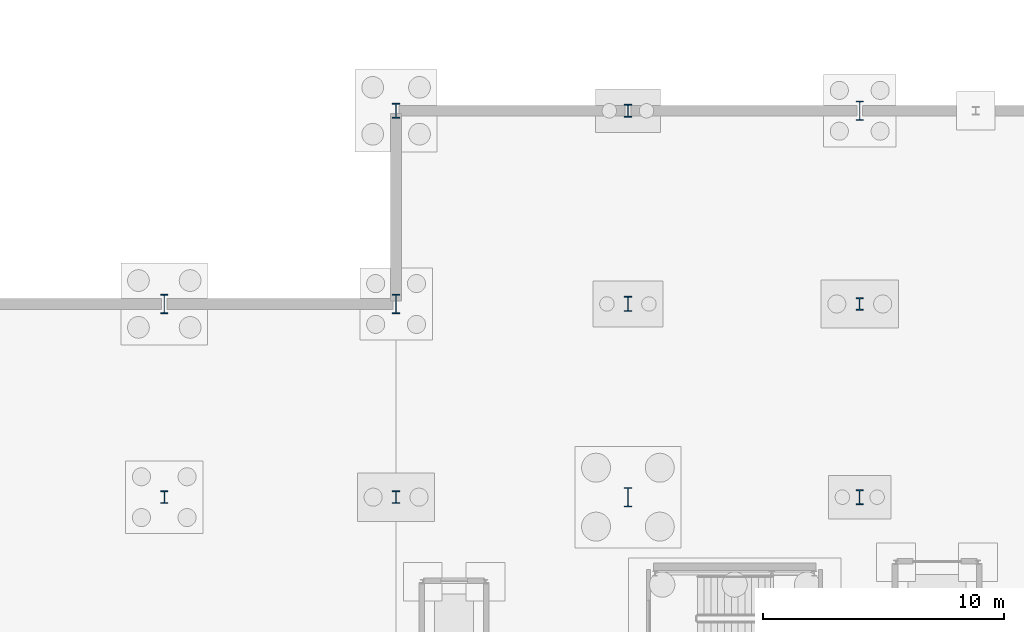
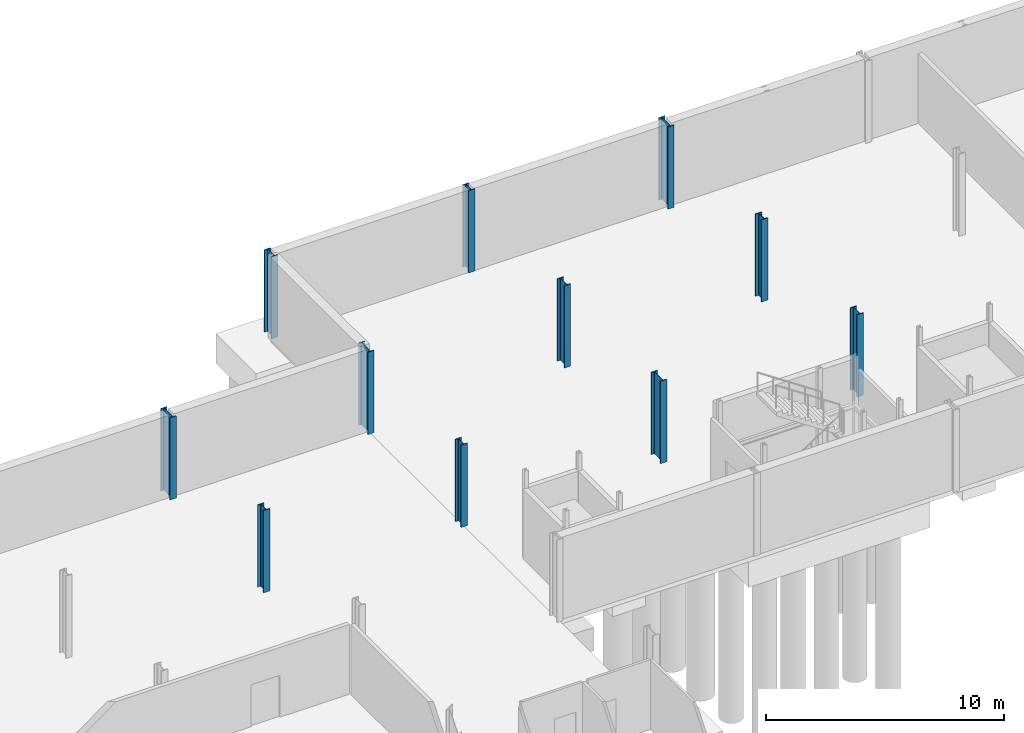
# One storey, part 27 of 47: 11 columns.
"""IFC4 building model written with IfcOpenShell, lengths in metres."""

from ifc_helpers import new_model, si_unit, direction, frame, origin, origin_2d, place, context, subcontext, project, spatial, i_section, extrude, material, material_profile, profile_set, type_object, element, save


model = new_model("IFC4")

# Units and contexts
model_context = context("Model", 3, precision=1e-05, world=origin(), true_north=direction((0.0, 1.0)))
body_context = subcontext(model_context, "Body", "Model", "MODEL_VIEW")
ifc_project = project(units=[si_unit("LENGTHUNIT", "METRE"), si_unit("AREAUNIT", "SQUARE_METRE"), si_unit("VOLUMEUNIT", "CUBIC_METRE"), si_unit("PLANEANGLEUNIT", "RADIAN"), si_unit("MASSUNIT", "GRAM", prefix="KILO")], contexts=[model_context])

# Site, building, storey
site_placement = place(None, origin())
site = spatial("IfcSite", under=ifc_project, at=site_placement, CompositionType="ELEMENT")
building_placement = place(site_placement, origin())
building = spatial("IfcBuilding", under=site, at=building_placement, Name="Alderhovde Museum", CompositionType="ELEMENT")
storey_placement = place(building_placement, frame((0.0, 0.0, -4.5)))
storey = spatial("IfcBuildingStorey", under=building, at=storey_placement, Name="B1", CompositionType="ELEMENT", Elevation=-4.5)

# Columns
ifc_material_1 = material(Name="Steel S355J2", Category="steel")
ifc_material_profile_1 = material_profile(ifc_material_1, i_section(OverallWidth=0.300048828125, OverallDepth=0.800048828125, WebThickness=0.017578125, FlangeThickness=0.032958984375, FilletRadius=0.030029296875, at=origin_2d()), Name="HEB 800")
ifc_profile_set_1 = profile_set([ifc_material_profile_1], Name="Steel S355J2")
column_type_1 = type_object("IfcColumnType", Name="COL-HEB800", PredefinedType="COLUMN", material=ifc_profile_set_1)
for number, where, z_axis, x_axis, name in (
    (1, (105.60009765625, 88.0, 0.0), (0.0, 0.0, 1.0), (1.0, 0.0, 0.0), "B1 Column (105.6, 88.0)"),
    (2, (115.199951171875, 88.0, 0.0), (0.0, 0.0, 1.0), (1.0, 0.0, 0.0), "B1 Column (115.2, 88.0)"),
    (3, (124.800048828125, 80.0, 0.0), (0.0, 0.0, 1.0), (1.0, 0.0, 0.0), "B1 Column (124.8, 80.0)"),
    (4, (134.39990234375, 96.0, 0.0), (0.0, 0.0, 1.0), (1.0, 0.0, 0.0), "B1 Column (134.4, 96.0)"),
):
    element("IfcColumn", number, at=place(storey_placement, frame(where, z_axis=z_axis, x_axis=x_axis)), inside=storey, type_object=column_type_1, Name=name, PredefinedType="COLUMN", context=body_context, shape_type="SweptSolid", body=[
        extrude(i_section(OverallWidth=0.300048828125, OverallDepth=0.800048828125, WebThickness=0.017578125, FlangeThickness=0.032958984375, FilletRadius=0.030029296875, at=origin_2d()), origin(), (0.0, 0.0, 1.0), 4.219970703125),
    ])
ifc_material_2 = material(Name="Steel S355J2", Category="steel")
ifc_material_profile_2 = material_profile(ifc_material_2, i_section(OverallWidth=0.305908203125, OverallDepth=0.52392578125, WebThickness=0.02099609375, FlangeThickness=0.0400390625, FilletRadius=0.027099609375, at=origin_2d()), Name="HEM 500")
ifc_profile_set_2 = profile_set([ifc_material_profile_2], Name="Steel S355J2")
column_type_2 = type_object("IfcColumnType", Name="COL-HEM500", PredefinedType="COLUMN", material=ifc_profile_set_2)
for number, where, z_axis, x_axis, name in (
    (5, (105.60009765625, 80.0, 0.0), (0.0, 0.0, 1.0), (1.0, 0.0, 0.0), "B1 Column (105.6, 80.0)"),
    (6, (115.199951171875, 80.0, 0.0), (0.0, 0.0, 1.0), (1.0, 0.0, 0.0), "B1 Column (115.2, 80.0)"),
    (7, (124.800048828125, 96.0, 0.0), (0.0, 0.0, 1.0), (1.0, 0.0, 0.0), "B1 Column (124.8, 96.0)"),
    (8, (134.39990234375, 88.0, 0.0), (0.0, 0.0, 1.0), (1.0, 0.0, 0.0), "B1 Column (134.4, 88.0)"),
):
    element("IfcColumn", number, at=place(storey_placement, frame(where, z_axis=z_axis, x_axis=x_axis)), inside=storey, type_object=column_type_2, Name=name, PredefinedType="COLUMN", context=body_context, shape_type="SweptSolid", body=[
        extrude(i_section(OverallWidth=0.305908203125, OverallDepth=0.52392578125, WebThickness=0.02099609375, FlangeThickness=0.0400390625, FilletRadius=0.027099609375, at=origin_2d()), origin(), (0.0, 0.0, 1.0), 4.219970703125),
    ])
ifc_material_3 = material(Name="Steel S355J2", Category="steel")
ifc_material_profile_3 = material_profile(ifc_material_3, i_section(OverallWidth=0.304931640625, OverallDepth=0.6201171875, WebThickness=0.02099609375, FlangeThickness=0.0400390625, FilletRadius=0.027099609375, at=origin_2d()), Name="HEM 600")
ifc_profile_set_3 = profile_set([ifc_material_profile_3], Name="Steel S355J2")
column_type_3 = type_object("IfcColumnType", Name="COL-HEM600", PredefinedType="COLUMN", material=ifc_profile_set_3)
for number, where, z_axis, x_axis, name in (
    (9, (115.199951171875, 96.0, 0.0), (0.0, 0.0, 1.0), (1.0, 0.0, 0.0), "B1 Column (115.2, 96.0)"),
    (10, (124.800048828125, 88.0, 0.0), (0.0, 0.0, 1.0), (1.0, 0.0, 0.0), "B1 Column (124.8, 88.0)"),
    (11, (134.39990234375, 80.0, 0.0), (0.0, 0.0, 1.0), (1.0, 0.0, 0.0), "B1 Column (134.4, 80.0)"),
):
    element("IfcColumn", number, at=place(storey_placement, frame(where, z_axis=z_axis, x_axis=x_axis)), inside=storey, type_object=column_type_3, Name=name, PredefinedType="COLUMN", context=body_context, shape_type="SweptSolid", body=[
        extrude(i_section(OverallWidth=0.304931640625, OverallDepth=0.6201171875, WebThickness=0.02099609375, FlangeThickness=0.0400390625, FilletRadius=0.027099609375, at=origin_2d()), origin(), (0.0, 0.0, 1.0), 4.219970703125),
    ])

save(model, "model.ifc")
